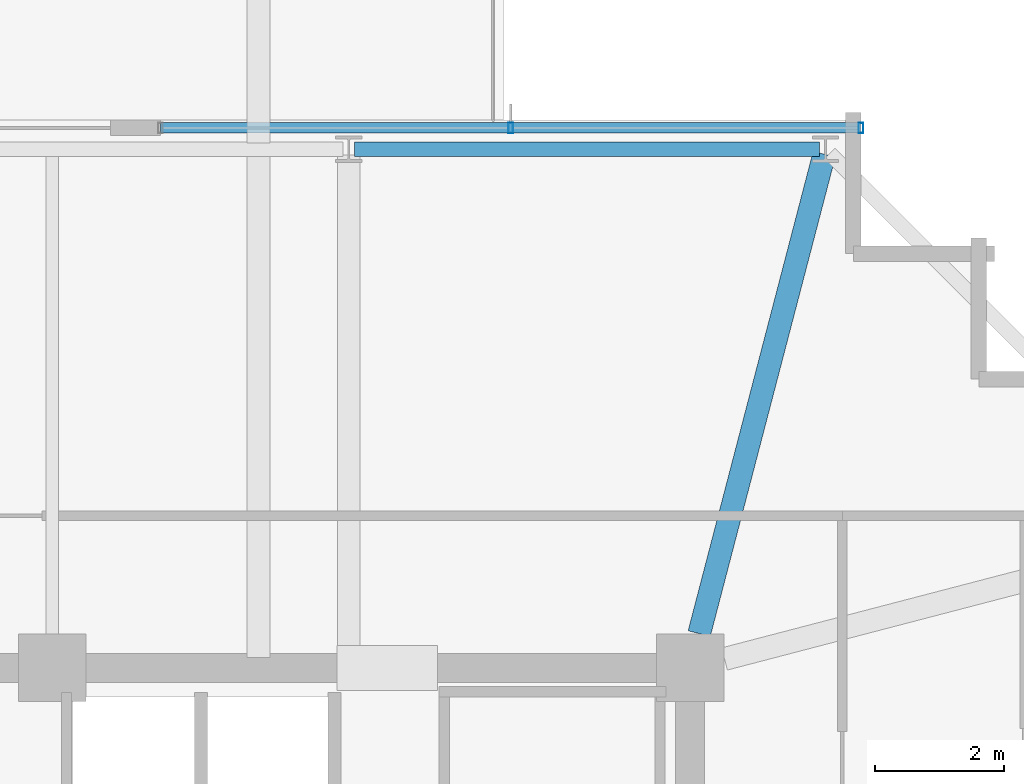
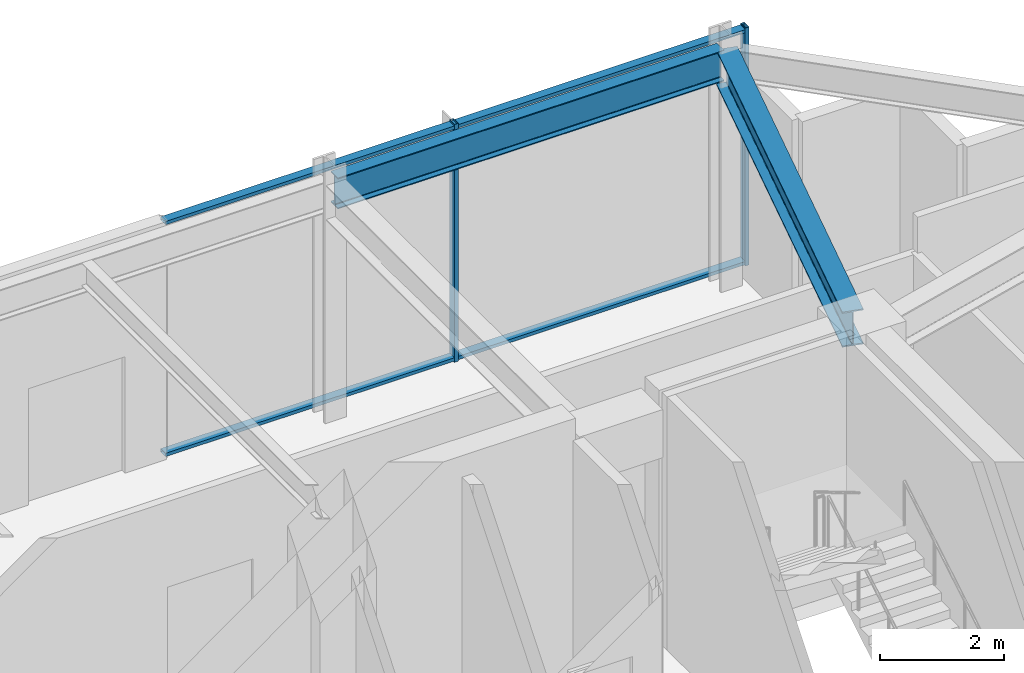
# One storey, part 18 of 31: 4 members, 2 beams, 1 element without a shape of its own.
"""IFC4 building model written with IfcOpenShell, lengths in metres."""

from ifc_helpers import new_model, si_unit, direction, frame, origin, origin_2d, place, context, subcontext, project, spatial, hollow_rectangle, i_section, extrude, material, material_profile, profile_set, type_object, element, aggregate, save


model = new_model("IFC4")

# Units and contexts
model_context = context("Model", 3, precision=1e-05, world=origin(), true_north=direction((0.0, 1.0)))
body_context = subcontext(model_context, "Body", "Model", "MODEL_VIEW")
ifc_project = project(units=[si_unit("LENGTHUNIT", "METRE"), si_unit("AREAUNIT", "SQUARE_METRE"), si_unit("VOLUMEUNIT", "CUBIC_METRE"), si_unit("PLANEANGLEUNIT", "RADIAN"), si_unit("MASSUNIT", "GRAM", prefix="KILO")], contexts=[model_context])

# Site, building, storey
site_placement = place(None, origin())
site = spatial("IfcSite", under=ifc_project, at=site_placement, CompositionType="ELEMENT")
building_placement = place(site_placement, origin())
building = spatial("IfcBuilding", under=site, at=building_placement, Name="Kolvaren Belvedere", CompositionType="ELEMENT")
storey_placement = place(building_placement, frame((0.0, 0.0, 267.39990234375)))
storey = spatial("IfcBuildingStorey", under=building, at=storey_placement, Name="L77", CompositionType="ELEMENT", Elevation=267.39990234375)

# Beams
ifc_material_1 = material(Name="Structural steel ASTM A992 Grade 50", Category="steel")
ifc_material_profile_1 = material_profile(ifc_material_1, i_section(OverallWidth=0.35498046875, OverallDepth=0.696044921875, WebThickness=0.015380859375, FlangeThickness=0.02490234375, FilletRadius=0.02197265625, at=origin_2d()), Name="W27X146")
ifc_profile_set_1 = profile_set([ifc_material_profile_1], Name="Structural steel ASTM A992 Grade 50")
beam_type_1 = type_object("IfcBeamType", Name="BM-GIRD-W27X146", PredefinedType="BEAM", material=ifc_profile_set_1)
beam_1_placement = place(storey_placement, frame((10.038818359375, 10.43212890625, 4.35205078125), z_axis=(0.252430946281, 0.967614911708, 0.0), x_axis=(-0.967614911708, 0.252430946281, 0.0)))
element("IfcBeam", 1, at=beam_1_placement, inside=storey, type_object=beam_type_1, Name="L77 Corner Core-to-Perimeter Girder CC3-N4", PredefinedType="BEAM", context=body_context, shape_type="SweptSolid", body=[
    extrude(i_section(OverallWidth=0.35498046875, OverallDepth=0.696044921875, WebThickness=0.015380859375, FlangeThickness=0.02490234375, FilletRadius=0.02197265625, at=origin_2d()), origin(), (0.0, 0.0, 1.0), 7.68798828125),
])
ifc_material_2 = material(Name="Structural steel ASTM A992 Grade 50", Category="steel")
ifc_material_profile_2 = material_profile(ifc_material_2, i_section(OverallWidth=0.22900390625, OverallDepth=0.612060546875, WebThickness=0.011962890625, FlangeThickness=0.01953125, FilletRadius=0.01806640625, at=origin_2d()), Name="W24X84")
ifc_profile_set_2 = profile_set([ifc_material_profile_2], Name="Structural steel ASTM A992 Grade 50")
beam_type_2 = type_object("IfcBeamType", Name="BM-SPAN-W24X84", PredefinedType="SPANDREL", material=ifc_profile_set_2)
beam_2_placement = place(storey_placement, frame((11.908447265625, 17.949951171875, 4.39404296875), z_axis=(-1.0, 0.0, 0.0), x_axis=(0.0, -1.0, 0.0)))
element("IfcBeam", 2, at=beam_2_placement, inside=storey, type_object=beam_type_2, Name="L77 Perimeter Spandrel N4-N3", PredefinedType="SPANDREL", context=body_context, shape_type="SweptSolid", body=[
    extrude(i_section(OverallWidth=0.22900390625, OverallDepth=0.612060546875, WebThickness=0.011962890625, FlangeThickness=0.01953125, FilletRadius=0.01806640625, at=origin_2d()), origin(), (0.0, 0.0, 1.0), 7.216796875),
])

# Curtain wall, members
ifc_material_3 = material(Name="Anodised pale-metal aluminium AA 6063-T6", Category="aluminium")
curtain_wall_type = type_object("IfcCurtainWallType", Name="CW-CRN-OBS", PredefinedType="NOTDEFINED", material=ifc_material_3)
curtain_wall_placement = place(storey_placement, origin())
curtain_wall = element("IfcCurtainWall", 3, at=curtain_wall_placement, inside=storey, type_object=curtain_wall_type, Name="L77 Unitised Curtain Wall FCW-L77-N2", PredefinedType="NOTDEFINED")
ifc_material_4 = material(Name="Anodised pale-metal aluminium AA 6063-T6", Category="aluminium")
ifc_material_profile_3 = material_profile(ifc_material_4, hollow_rectangle(XDim=0.074951171875, YDim=0.159912109375, WallThickness=0.00439453125, at=origin_2d()), Name="ALU-MUL-160X75")
ifc_profile_set_3 = profile_set([ifc_material_profile_3], Name="Anodised pale-metal aluminium AA 6063-T6")
member_type_1 = type_object("IfcMemberType", Name="CW-MUL-160", PredefinedType="MULLION", material=ifc_profile_set_3)
member_1_placement = place(storey_placement, frame((7.114990234375, 18.280029296875, 0.0), z_axis=(0.0, 0.0, 1.0), x_axis=(1.0, 0.0, 0.0)))
member_1 = element("IfcMember", 4, at=member_1_placement, type_object=member_type_1, Name="FCW-L77-N2 Unitised Mullion 2", PredefinedType="MULLION", context=body_context, shape_type="SweptSolid", body=[
    extrude(hollow_rectangle(XDim=0.074951171875, YDim=0.159912109375, WallThickness=0.00439453125, at=origin_2d()), origin(), (0.0, 0.0, 1.0), 4.7001953125),
])
member_2_placement = place(storey_placement, frame((12.550048828125, 18.280029296875, 0.0), z_axis=(0.0, 0.0, 1.0), x_axis=(1.0, 0.0, 0.0)))
member_2 = element("IfcMember", 5, at=member_2_placement, type_object=member_type_1, Name="FCW-L77-N2 Unitised Mullion 3", PredefinedType="MULLION", context=body_context, shape_type="SweptSolid", body=[
    extrude(hollow_rectangle(XDim=0.074951171875, YDim=0.159912109375, WallThickness=0.00439453125, at=origin_2d()), origin(), (0.0, 0.0, 1.0), 4.7001953125),
])
ifc_material_5 = material(Name="Anodised pale-metal aluminium AA 6063-T6", Category="aluminium")
ifc_material_profile_4 = material_profile(ifc_material_5, hollow_rectangle(XDim=0.06494140625, YDim=0.159912109375, WallThickness=0.00390625, at=origin_2d()), Name="ALU-TRN-160X65")
ifc_profile_set_4 = profile_set([ifc_material_profile_4], Name="Anodised pale-metal aluminium AA 6063-T6")
member_type_2 = type_object("IfcMemberType", Name="CW-TRN-160", PredefinedType="USERDEFINED", material=ifc_profile_set_4)
member_3_placement = place(storey_placement, frame((1.679931640625, 18.280029296875, 0.06005859375), z_axis=(1.0, 0.0, 0.0), x_axis=(0.0, 0.0, 1.0)))
member_3 = element("IfcMember", 6, at=member_3_placement, type_object=member_type_2, Name="FCW-L77-N2 Sill Transom", ObjectType="TRANSOM", PredefinedType="USERDEFINED", context=body_context, shape_type="SweptSolid", body=[
    extrude(hollow_rectangle(XDim=0.06494140625, YDim=0.159912109375, WallThickness=0.00390625, at=origin_2d()), origin(), (0.0, 0.0, 1.0), 10.8701171875),
])
member_4_placement = place(storey_placement, frame((1.679931640625, 18.280029296875, 4.64013671875), z_axis=(1.0, 0.0, 0.0), x_axis=(0.0, 0.0, 1.0)))
member_4 = element("IfcMember", 7, at=member_4_placement, type_object=member_type_2, Name="FCW-L77-N2 Head Transom", ObjectType="TRANSOM", PredefinedType="USERDEFINED", context=body_context, shape_type="SweptSolid", body=[
    extrude(hollow_rectangle(XDim=0.06494140625, YDim=0.159912109375, WallThickness=0.00390625, at=origin_2d()), origin(), (0.0, 0.0, 1.0), 10.8701171875),
])
aggregate(curtain_wall, [member_1, member_2, member_3, member_4])

save(model, "model.ifc")
